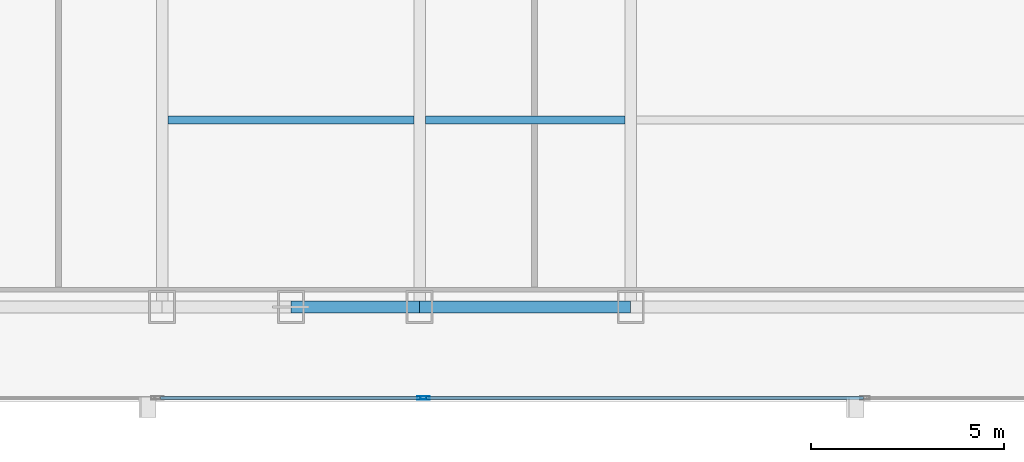
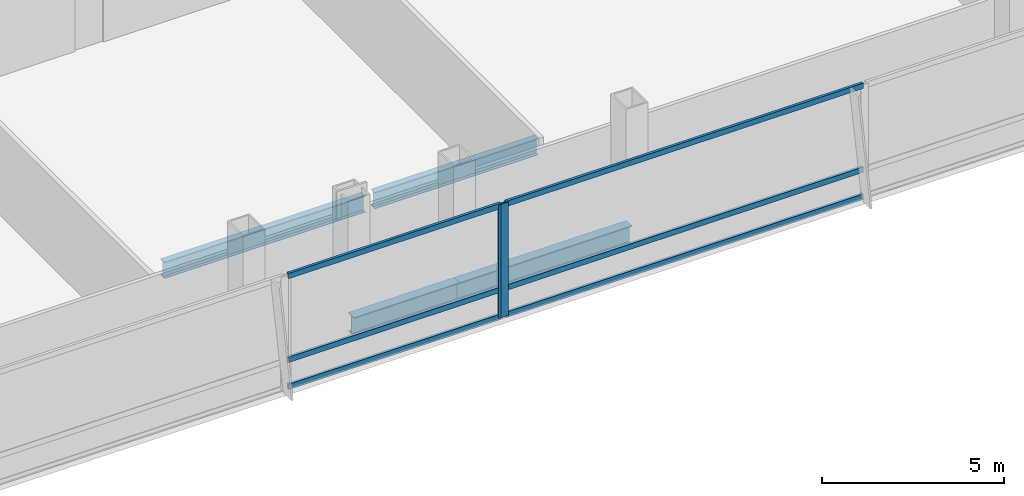
# One storey, part 8 of 34: 8 members, 4 beams, 2 elements without a shape of their own.
"""IFC4 building model written with IfcOpenShell, lengths in metres."""

from ifc_helpers import new_model, si_unit, direction, frame, origin, origin_2d, place, context, subcontext, project, spatial, hollow_rectangle, i_section, extrude, material, material_profile, profile_set, type_object, element, aggregate, save


model = new_model("IFC4")

# Units and contexts
model_context = context("Model", 3, precision=1e-05, world=origin(), true_north=direction((0.0, 1.0)))
body_context = subcontext(model_context, "Body", "Model", "MODEL_VIEW")
ifc_project = project(units=[si_unit("LENGTHUNIT", "METRE"), si_unit("AREAUNIT", "SQUARE_METRE"), si_unit("VOLUMEUNIT", "CUBIC_METRE"), si_unit("PLANEANGLEUNIT", "RADIAN"), si_unit("MASSUNIT", "GRAM", prefix="KILO")], contexts=[model_context])

# Site, building, storey
site_placement = place(None, origin())
site = spatial("IfcSite", under=ifc_project, at=site_placement, CompositionType="ELEMENT")
building_placement = place(site_placement, origin())
building = spatial("IfcBuilding", under=site, at=building_placement, Name="Khoronbel Lancet Exchange", CompositionType="ELEMENT")
storey_placement = place(building_placement, frame((0.0, 0.0, 102.60009765625)))
storey = spatial("IfcBuildingStorey", under=building, at=storey_placement, Name="L24", CompositionType="ELEMENT", Elevation=102.60009765625)

# Beams
ifc_material_1 = material(Name="Steel S355", Category="steel")
ifc_material_profile_1 = material_profile(ifc_material_1, i_section(OverallWidth=0.2099609375, OverallDepth=0.550048828125, WebThickness=0.010986328125, FlangeThickness=0.01708984375, at=origin_2d()), Name="IPE 550")
ifc_profile_set_1 = profile_set([ifc_material_profile_1], Name="Steel S355")
beam_type_1 = type_object("IfcBeamType", Name="BM-BJ2", PredefinedType="JOIST", material=ifc_profile_set_1)
beam_1_placement = place(storey_placement, frame((18.375, 15.0, -0.455078125), z_axis=(1.0, 0.0, 0.0), x_axis=(0.0, 1.0, 0.0)))
element("IfcBeam", 1, at=beam_1_placement, inside=storey, type_object=beam_type_1, Name="Level L24 secondary composite joist J01", PredefinedType="JOIST", context=body_context, shape_type="SweptSolid", body=[
    extrude(i_section(OverallWidth=0.2099609375, OverallDepth=0.550048828125, WebThickness=0.010986328125, FlangeThickness=0.01708984375, at=origin_2d()), origin(), (0.0, 0.0, 1.0), 6.375),
])
beam_2_placement = place(storey_placement, frame((25.050048828125, 15.0, -0.455078125), z_axis=(1.0, 0.0, 0.0), x_axis=(0.0, 1.0, 0.0)))
element("IfcBeam", 2, at=beam_2_placement, inside=storey, type_object=beam_type_1, Name="Level L24 secondary composite joist J02", PredefinedType="JOIST", context=body_context, shape_type="SweptSolid", body=[
    extrude(i_section(OverallWidth=0.2099609375, OverallDepth=0.550048828125, WebThickness=0.010986328125, FlangeThickness=0.01708984375, at=origin_2d()), origin(), (0.0, 0.0, 1.0), 5.175048828125),
])
ifc_material_profile_2 = material_profile(ifc_material_1, i_section(OverallWidth=0.300048828125, OverallDepth=0.64990234375, WebThickness=0.01611328125, FlangeThickness=0.031005859375, at=origin_2d()), Name="HEB 650")
ifc_profile_set_2 = profile_set([ifc_material_profile_2], Name="Steel S355")
beam_type_2 = type_object("IfcBeamType", Name="BM-BSP1", PredefinedType="SPANDREL", material=ifc_profile_set_2)
beam_3_placement = place(storey_placement, frame((21.5625, 10.14990234375, -0.505126953125), z_axis=(1.0, 0.0, 0.0), x_axis=(0.0, 1.0, 0.0)))
element("IfcBeam", 3, at=beam_3_placement, inside=storey, type_object=beam_type_2, Name="Level L24 perimeter spandrel beam SP03", PredefinedType="SPANDREL", context=body_context, shape_type="SweptSolid", body=[
    extrude(i_section(OverallWidth=0.300048828125, OverallDepth=0.64990234375, WebThickness=0.01611328125, FlangeThickness=0.031005859375, at=origin_2d()), origin(), (0.0, 0.0, 1.0), 3.33740234375),
])
beam_4_placement = place(storey_placement, frame((24.89990234375, 10.14990234375, -0.505126953125), z_axis=(1.0, 0.0, 0.0), x_axis=(0.0, 1.0, 0.0)))
element("IfcBeam", 4, at=beam_4_placement, inside=storey, type_object=beam_type_2, Name="Level L24 perimeter spandrel beam SP04", PredefinedType="SPANDREL", context=body_context, shape_type="SweptSolid", body=[
    extrude(i_section(OverallWidth=0.300048828125, OverallDepth=0.64990234375, WebThickness=0.01611328125, FlangeThickness=0.031005859375, at=origin_2d()), origin(), (0.0, 0.0, 1.0), 5.47509765625),
])

# Curtain wall, member
ifc_material_2 = material(Name="Low-E Solar Control Insulating Glass", Category="glass")
curtain_wall_type = type_object("IfcCurtainWallType", Name="CW-2", PredefinedType="NOTDEFINED", material=ifc_material_2)
curtain_wall_1_placement = place(storey_placement, origin())
curtain_wall_1 = element("IfcCurtainWall", 5, at=curtain_wall_1_placement, inside=storey, type_object=curtain_wall_type, Name="Unitised curtain wall CW-L24-SWB", PredefinedType="NOTDEFINED")
ifc_material_3 = material(Name="Bronze-Anodised Aluminium 6063-T6", Category="aluminium")
ifc_material_profile_3 = material_profile(ifc_material_3, hollow_rectangle(XDim=0.0849609375, YDim=0.239990234375, WallThickness=0.006103515625, at=origin_2d()), Name="ALU MULLION 85x240")
ifc_profile_set_3 = profile_set([ifc_material_profile_3], Name="Bronze-Anodised Aluminium 6063-T6")
member_type_1 = type_object("IfcMemberType", Name="MEM-CWM1", PredefinedType="MULLION", material=ifc_profile_set_3)
member_1_placement = place(storey_placement, frame((24.95751953125, 7.7900390625, 0.0), z_axis=(0.0, 0.0, 1.0), x_axis=(0.0, 1.0, 0.0)))
member_1 = element("IfcMember", 6, at=member_1_placement, type_object=member_type_1, Name="CW2 mullion 2", PredefinedType="MULLION", context=body_context, shape_type="SweptSolid", body=[
    extrude(hollow_rectangle(XDim=0.0849609375, YDim=0.239990234375, WallThickness=0.006103515625, at=origin_2d()), origin(), (0.0, 0.0, 1.0), 3.7998046875),
])

curtain_wall_2_placement = place(storey_placement, origin())
curtain_wall_2 = element("IfcCurtainWall", 7, at=curtain_wall_2_placement, inside=storey, type_object=curtain_wall_type, Name="Unitised curtain wall CW-L24-SCV", PredefinedType="NOTDEFINED")
member_2_placement = place(storey_placement, frame((25.04248046875, 7.7900390625, 0.0), z_axis=(0.0, 0.0, 1.0), x_axis=(0.0, 1.0, 0.0)))
member_2 = element("IfcMember", 8, at=member_2_placement, type_object=member_type_1, Name="CW2 mullion 1", PredefinedType="MULLION", context=body_context, shape_type="SweptSolid", body=[
    extrude(hollow_rectangle(XDim=0.0849609375, YDim=0.239990234375, WallThickness=0.006103515625, at=origin_2d()), origin(), (0.0, 0.0, 1.0), 3.7998046875),
])

# Member
ifc_material_profile_4 = material_profile(ifc_material_3, hollow_rectangle(XDim=0.0849609375, YDim=0.179931640625, WallThickness=0.0048828125, at=origin_2d()), Name="ALU TRANSOM 85x180")
ifc_profile_set_4 = profile_set([ifc_material_profile_4], Name="Bronze-Anodised Aluminium 6063-T6")
member_type_2 = type_object("IfcMemberType", Name="MEM-CWT1", PredefinedType="USERDEFINED", material=ifc_profile_set_4)
member_3_placement = place(storey_placement, frame((18.18505859375, 7.7900390625, 0.04248046875), z_axis=(1.0, 0.0, 0.0), x_axis=(0.0, 1.0, 0.0)))
member_3 = element("IfcMember", 9, at=member_3_placement, type_object=member_type_2, Name="CW2 transom 1.1", ObjectType="TRANSOM", PredefinedType="USERDEFINED", context=body_context, shape_type="SweptSolid", body=[
    extrude(hollow_rectangle(XDim=0.0849609375, YDim=0.179931640625, WallThickness=0.0048828125, at=origin_2d()), origin(), (0.0, 0.0, 1.0), 6.72998046875),
])

member_4_placement = place(storey_placement, frame((18.18505859375, 7.7900390625, 0.949951171875), z_axis=(1.0, 0.0, 0.0), x_axis=(0.0, 1.0, 0.0)))
member_4 = element("IfcMember", 10, at=member_4_placement, type_object=member_type_2, Name="CW2 transom 1.2", ObjectType="TRANSOM", PredefinedType="USERDEFINED", context=body_context, shape_type="SweptSolid", body=[
    extrude(hollow_rectangle(XDim=0.0849609375, YDim=0.179931640625, WallThickness=0.0048828125, at=origin_2d()), origin(), (0.0, 0.0, 1.0), 6.72998046875),
])

member_5_placement = place(storey_placement, frame((18.18505859375, 7.7900390625, 3.75732421875), z_axis=(1.0, 0.0, 0.0), x_axis=(0.0, 1.0, 0.0)))
member_5 = element("IfcMember", 11, at=member_5_placement, type_object=member_type_2, Name="CW2 transom 1.3", ObjectType="TRANSOM", PredefinedType="USERDEFINED", context=body_context, shape_type="SweptSolid", body=[
    extrude(hollow_rectangle(XDim=0.0849609375, YDim=0.179931640625, WallThickness=0.0048828125, at=origin_2d()), origin(), (0.0, 0.0, 1.0), 6.72998046875),
])

aggregate(curtain_wall_1, [member_1, member_3, member_4, member_5])

member_6_placement = place(storey_placement, frame((25.0849609375, 7.7900390625, 0.04248046875), z_axis=(1.0, 0.0, 0.0), x_axis=(0.0, 1.0, 0.0)))
member_6 = element("IfcMember", 12, at=member_6_placement, type_object=member_type_2, Name="CW2 transom 1.1", ObjectType="TRANSOM", PredefinedType="USERDEFINED", context=body_context, shape_type="SweptSolid", body=[
    extrude(hollow_rectangle(XDim=0.0849609375, YDim=0.179931640625, WallThickness=0.0048828125, at=origin_2d()), origin(), (0.0, 0.0, 1.0), 11.322509765625),
])

member_7_placement = place(storey_placement, frame((25.0849609375, 7.7900390625, 0.949951171875), z_axis=(1.0, 0.0, 0.0), x_axis=(0.0, 1.0, 0.0)))
member_7 = element("IfcMember", 13, at=member_7_placement, type_object=member_type_2, Name="CW2 transom 1.2", ObjectType="TRANSOM", PredefinedType="USERDEFINED", context=body_context, shape_type="SweptSolid", body=[
    extrude(hollow_rectangle(XDim=0.0849609375, YDim=0.179931640625, WallThickness=0.0048828125, at=origin_2d()), origin(), (0.0, 0.0, 1.0), 11.322509765625),
])

member_8_placement = place(storey_placement, frame((25.0849609375, 7.7900390625, 3.75732421875), z_axis=(1.0, 0.0, 0.0), x_axis=(0.0, 1.0, 0.0)))
member_8 = element("IfcMember", 14, at=member_8_placement, type_object=member_type_2, Name="CW2 transom 1.3", ObjectType="TRANSOM", PredefinedType="USERDEFINED", context=body_context, shape_type="SweptSolid", body=[
    extrude(hollow_rectangle(XDim=0.0849609375, YDim=0.179931640625, WallThickness=0.0048828125, at=origin_2d()), origin(), (0.0, 0.0, 1.0), 11.322509765625),
])

aggregate(curtain_wall_2, [member_2, member_6, member_7, member_8])

save(model, "model.ifc")
